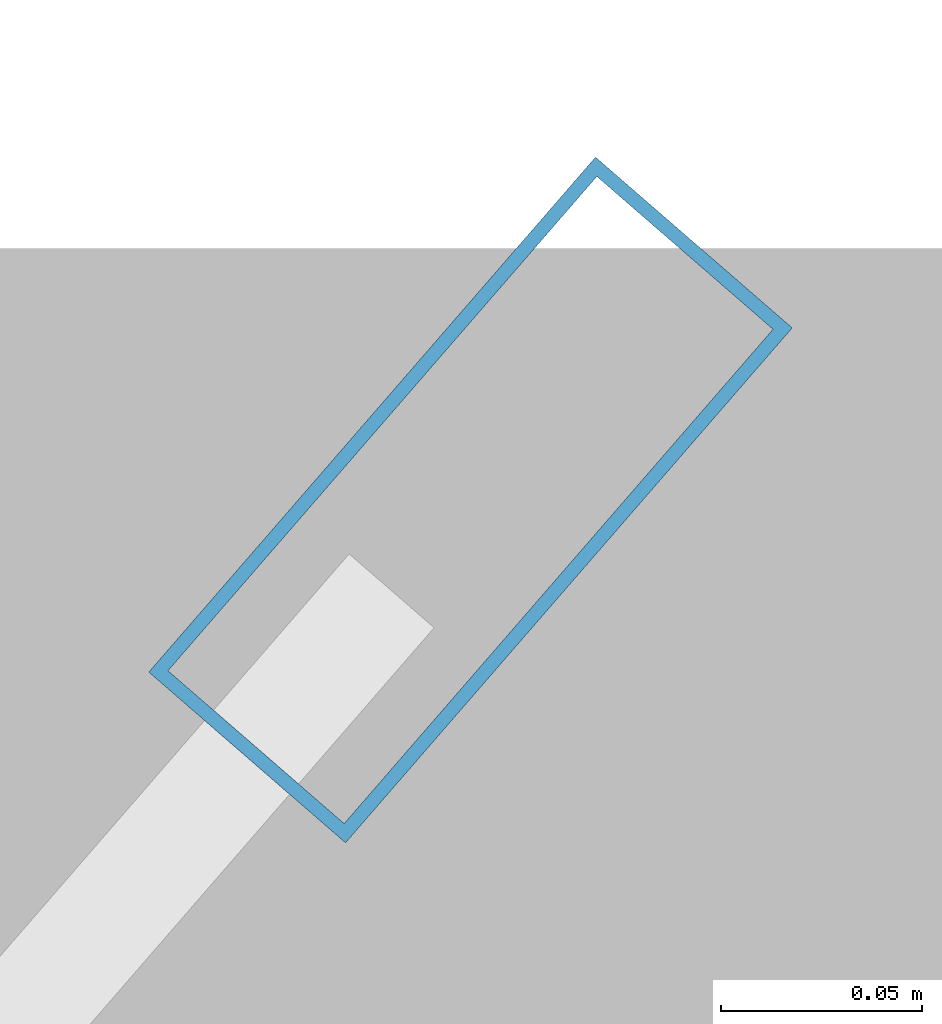
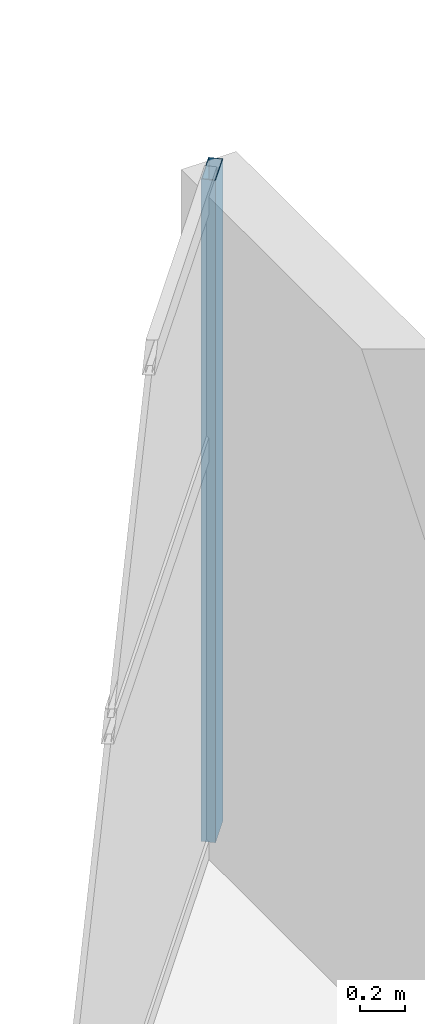
# One storey, part 22 of 29: 1 member, 1 element without a shape of its own.
"""IFC4 building model written with IfcOpenShell, lengths in metres."""

from ifc_helpers import new_model, si_unit, direction, frame, origin, origin_2d, place, context, subcontext, project, spatial, hollow_rectangle, extrude, material, layer, layer_set, material_profile, profile_set, type_object, element, aggregate, save


model = new_model("IFC4")

# Units and contexts
model_context = context("Model", 3, precision=1e-05, world=origin(), true_north=direction((0.0, 1.0)))
body_context = subcontext(model_context, "Body", "Model", "MODEL_VIEW")
ifc_project = project(units=[si_unit("LENGTHUNIT", "METRE"), si_unit("AREAUNIT", "SQUARE_METRE"), si_unit("VOLUMEUNIT", "CUBIC_METRE"), si_unit("PLANEANGLEUNIT", "RADIAN"), si_unit("MASSUNIT", "GRAM", prefix="KILO")], contexts=[model_context])

# Site, building, storey
site_placement = place(None, origin())
site = spatial("IfcSite", under=ifc_project, at=site_placement, CompositionType="ELEMENT")
building_placement = place(site_placement, origin())
building = spatial("IfcBuilding", under=site, at=building_placement, Name="Calvorn Quay Hotel", CompositionType="ELEMENT")
storey_placement = place(building_placement, frame((0.0, 0.0, 255.199951171875)))
storey = spatial("IfcBuildingStorey", under=building, at=storey_placement, Name="L63", CompositionType="ELEMENT", Elevation=255.199951171875)

# Curtain wall, member
ifc_material_1 = material(Name="Champagne Bronze Anodised Aluminium and Low-E Glass", Category="aluminium")
ifc_layer = layer(ifc_material_1, 0.219970703125)
ifc_layer_set = layer_set([ifc_layer], Name="CW-SYS-Z4")
curtain_wall_type = type_object("IfcCurtainWallType", Name="CW-SYS-Z4", PredefinedType="NOTDEFINED", material=ifc_layer_set)
curtain_wall_placement = place(storey_placement, origin())
curtain_wall = element("IfcCurtainWall", 1, at=curtain_wall_placement, inside=storey, type_object=curtain_wall_type, Name="Inner Court Curtain Wall L63-NE1", PredefinedType="NOTDEFINED")
ifc_material_2 = material(Name="Champagne Bronze Anodised Aluminium 6063-T6", Category="aluminium")
ifc_material_profile = material_profile(ifc_material_2, hollow_rectangle(XDim=0.06494140625, YDim=0.169921875, WallThickness=0.00341796875, at=origin_2d()), Name="ALU-M170x65x3.5")
ifc_profile_set = profile_set([ifc_material_profile], Name="Champagne Bronze Anodised Aluminium 6063-T6")
member_type = type_object("IfcMemberType", Name="CW-SYS-Z4-MUL", PredefinedType="MULLION", material=ifc_profile_set)
member_placement = place(storey_placement, frame((33.38037109375, 37.977294921875, 0.0), z_axis=(0.0, 0.0, 1.0), x_axis=(0.755322467304, -0.655353317216, 0.0)))
member = element("IfcMember", 2, at=member_placement, type_object=member_type, Name="CW-L63-NE1 mullion 1", PredefinedType="MULLION", context=body_context, shape_type="SweptSolid", body=[
    extrude(hollow_rectangle(XDim=0.06494140625, YDim=0.169921875, WallThickness=0.00341796875, at=origin_2d()), origin(), (0.0, 0.0, 1.0), 3.56005859375),
])
aggregate(curtain_wall, [member])

save(model, "model.ifc")
